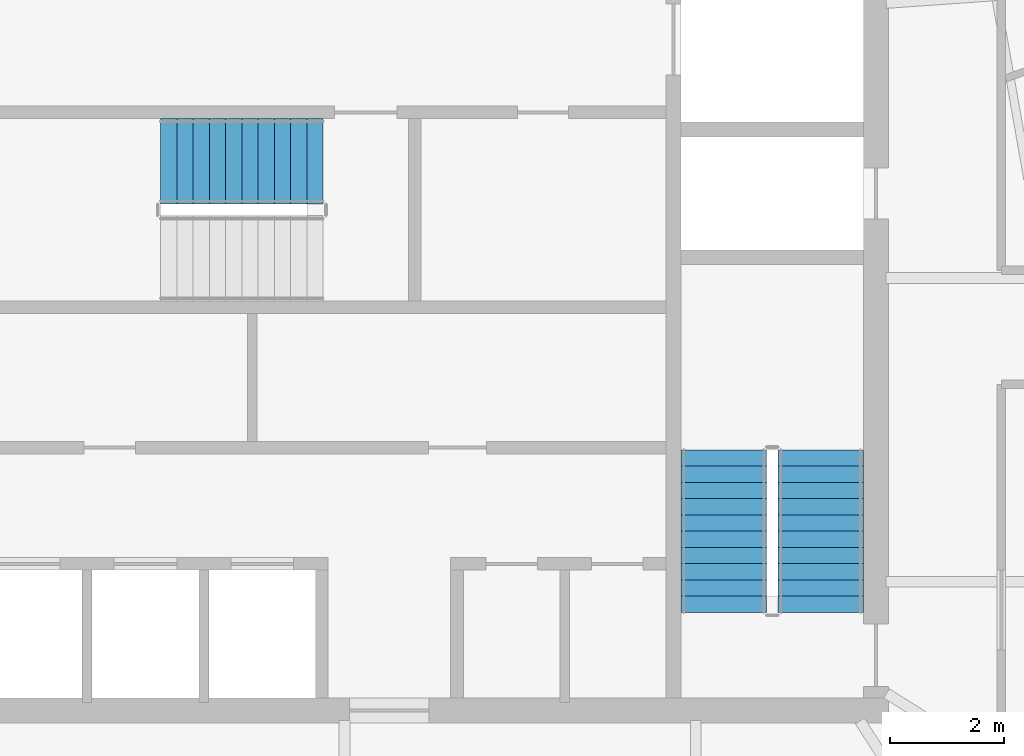
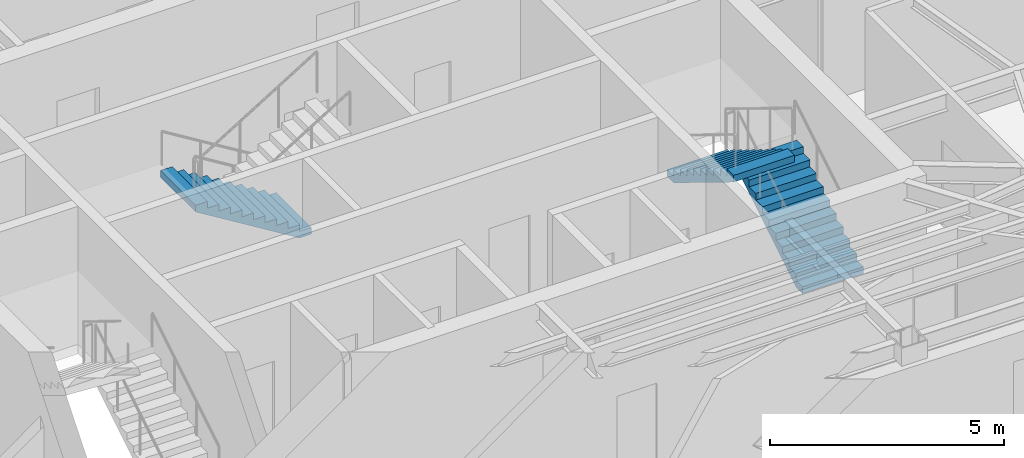
# One storey, part 10 of 12: 3 stair flights, 2 elements without a shape of their own.
"""IFC4 building model written with IfcOpenShell, lengths in metres."""

from ifc_helpers import new_model, si_unit, direction, frame, origin, place, context, subcontext, project, spatial, polyline, outline, extrude, material, type_object, element, aggregate, save


model = new_model("IFC4")

# Units and contexts
model_context = context("Model", 3, precision=1e-05, world=origin(), true_north=direction((0.0, 1.0)))
body_context = subcontext(model_context, "Body", "Model", "MODEL_VIEW")
ifc_project = project(units=[si_unit("LENGTHUNIT", "METRE"), si_unit("AREAUNIT", "SQUARE_METRE"), si_unit("VOLUMEUNIT", "CUBIC_METRE"), si_unit("PLANEANGLEUNIT", "RADIAN"), si_unit("MASSUNIT", "GRAM", prefix="KILO")], contexts=[model_context])

# Site, building, storey
site_placement = place(None, origin())
site = spatial("IfcSite", under=ifc_project, at=site_placement, CompositionType="ELEMENT")
building_placement = place(site_placement, origin())
building = spatial("IfcBuilding", under=site, at=building_placement, Name="Kavelnor Concourse Tower", CompositionType="ELEMENT")
storey_placement = place(building_placement, frame((0.0, 0.0, 191.949951171875)))
storey = spatial("IfcBuildingStorey", under=building, at=storey_placement, Name="L48", CompositionType="ELEMENT", Elevation=191.949951171875)

# Stair, stair flights
ifc_material = material(Name="Concrete C40/50", Category="concrete")
stair_type = type_object("IfcStairType", Name="STR-CORE-1500", PredefinedType="HALF_TURN_STAIR", material=ifc_material)
stair_1_placement = place(storey_placement, origin())
stair_1 = element("IfcStair", 1, at=stair_1_placement, inside=storey, type_object=stair_type, Name="L48 ST2", PredefinedType="HALF_TURN_STAIR")
stair_flight_type = type_object("IfcStairFlightType", Name="STR-FLIGHT-1500", PredefinedType="STRAIGHT", material=ifc_material)
stair_flight_1_placement = place(storey_placement, frame((46.77001953125, 11.10009765625, 0.0), z_axis=(0.0, 0.0, 1.0), x_axis=(0.0, 1.0, 0.0)))
stair_flight_1 = element("IfcStairFlight", 2, at=stair_flight_1_placement, type_object=stair_flight_type, Name="ST2 flight 1", NumberOfRisers=11, NumberOfTreads=10, PredefinedType="STRAIGHT", RiserHeight=0.175, TreadLength=0.285, context=body_context, shape_type="SweptSolid", body=[
    extrude(outline(polyline([(0.0, 0.0), (0.0, 0.175048828125), (0.284912109375, 0.175048828125), (0.284912109375, 0.35009765625), (0.570068359375, 0.35009765625), (0.570068359375, 0.52490234375), (0.85498046875, 0.52490234375), (0.85498046875, 0.699951171875), (1.139892578125, 0.699951171875), (1.139892578125, 0.875), (1.425048828125, 0.875), (1.425048828125, 1.050048828125), (1.7099609375, 1.050048828125), (1.7099609375, 1.22509765625), (1.9951171875, 1.22509765625), (1.9951171875, 1.39990234375), (2.280029296875, 1.39990234375), (2.280029296875, 1.574951171875), (2.56494140625, 1.574951171875), (2.56494140625, 1.75), (2.85009765625, 1.75), (2.85009765625, 1.925048828125), (2.85009765625, 1.573974609375), (0.286376953125, 0.0), (0.0, 0.0)])), frame((0.0, 0.75, 0.0), z_axis=(0.0, -1.0, 0.0), x_axis=(1.0, 0.0, 0.0)), (0.0, 0.0, 1.0), 1.5),
])
stair_flight_2_placement = place(storey_placement, frame((45.070068359375, 13.949951171875, 1.925048828125), z_axis=(0.0, 0.0, 1.0), x_axis=(0.0, -1.0, 0.0)))
stair_flight_2 = element("IfcStairFlight", 3, at=stair_flight_2_placement, type_object=stair_flight_type, Name="ST2 flight 2", NumberOfRisers=11, NumberOfTreads=10, PredefinedType="STRAIGHT", RiserHeight=0.175, TreadLength=0.285, context=body_context, shape_type="SweptSolid", body=[
    extrude(outline(polyline([(0.0, 0.0), (0.0, 0.175048828125), (0.284912109375, 0.175048828125), (0.284912109375, 0.35009765625), (0.570068359375, 0.35009765625), (0.570068359375, 0.52490234375), (0.85498046875, 0.52490234375), (0.85498046875, 0.699951171875), (1.139892578125, 0.699951171875), (1.139892578125, 0.875), (1.425048828125, 0.875), (1.425048828125, 1.050048828125), (1.7099609375, 1.050048828125), (1.7099609375, 1.22509765625), (1.9951171875, 1.22509765625), (1.9951171875, 1.39990234375), (2.280029296875, 1.39990234375), (2.280029296875, 1.574951171875), (2.56494140625, 1.574951171875), (2.56494140625, 1.75), (2.85009765625, 1.75), (2.85009765625, 1.925048828125), (2.85009765625, 1.573974609375), (0.286376953125, 0.0), (0.0, 0.0)])), frame((0.0, 0.75, 0.0), z_axis=(0.0, -1.0, 0.0), x_axis=(1.0, 0.0, 0.0)), (0.0, 0.0, 1.0), 1.5),
])
aggregate(stair_1, [stair_flight_1, stair_flight_2])

# Stair, stair flight
stair_2_placement = place(storey_placement, origin())
stair_2 = element("IfcStair", 4, at=stair_2_placement, inside=storey, type_object=stair_type, Name="L48 ST3", PredefinedType="HALF_TURN_STAIR")
stair_flight_3_placement = place(storey_placement, frame((38.0400390625, 19.010009765625, 0.0), z_axis=(0.0, 0.0, 1.0), x_axis=(-1.0, 0.0, 0.0)))
stair_flight_3 = element("IfcStairFlight", 5, at=stair_flight_3_placement, type_object=stair_flight_type, Name="ST3 flight 1", NumberOfRisers=11, NumberOfTreads=10, PredefinedType="STRAIGHT", RiserHeight=0.175, TreadLength=0.285, context=body_context, shape_type="SweptSolid", body=[
    extrude(outline(polyline([(0.0, 0.0), (0.0, 0.175048828125), (0.284912109375, 0.175048828125), (0.284912109375, 0.35009765625), (0.570068359375, 0.35009765625), (0.570068359375, 0.52490234375), (0.85498046875, 0.52490234375), (0.85498046875, 0.699951171875), (1.139892578125, 0.699951171875), (1.139892578125, 0.875), (1.425048828125, 0.875), (1.425048828125, 1.050048828125), (1.7099609375, 1.050048828125), (1.7099609375, 1.22509765625), (1.9951171875, 1.22509765625), (1.9951171875, 1.39990234375), (2.280029296875, 1.39990234375), (2.280029296875, 1.574951171875), (2.56494140625, 1.574951171875), (2.56494140625, 1.75), (2.85009765625, 1.75), (2.85009765625, 1.925048828125), (2.85009765625, 1.573974609375), (0.286376953125, 0.0), (0.0, 0.0)])), frame((0.0, 0.75, 0.0), z_axis=(0.0, -1.0, 0.0), x_axis=(1.0, 0.0, 0.0)), (0.0, 0.0, 1.0), 1.5),
])
aggregate(stair_2, [stair_flight_3])

save(model, "model.ifc")
